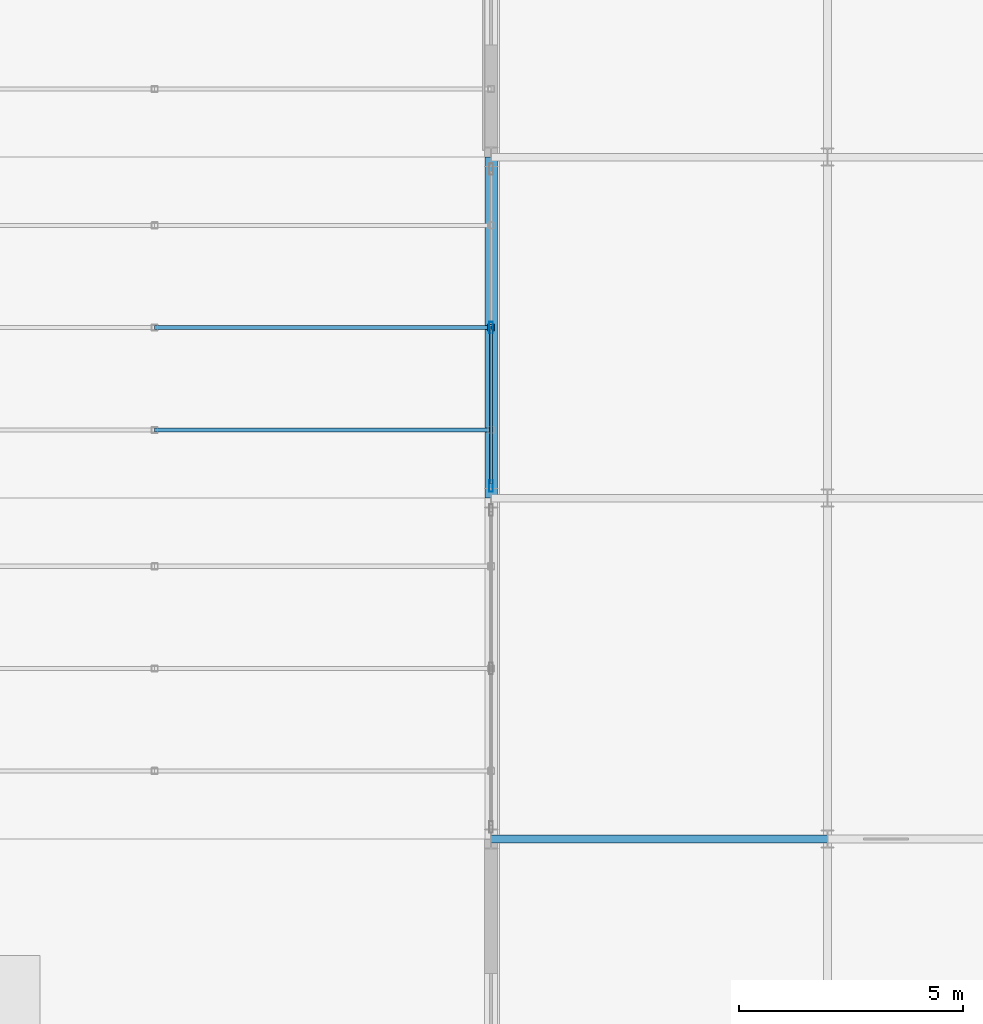
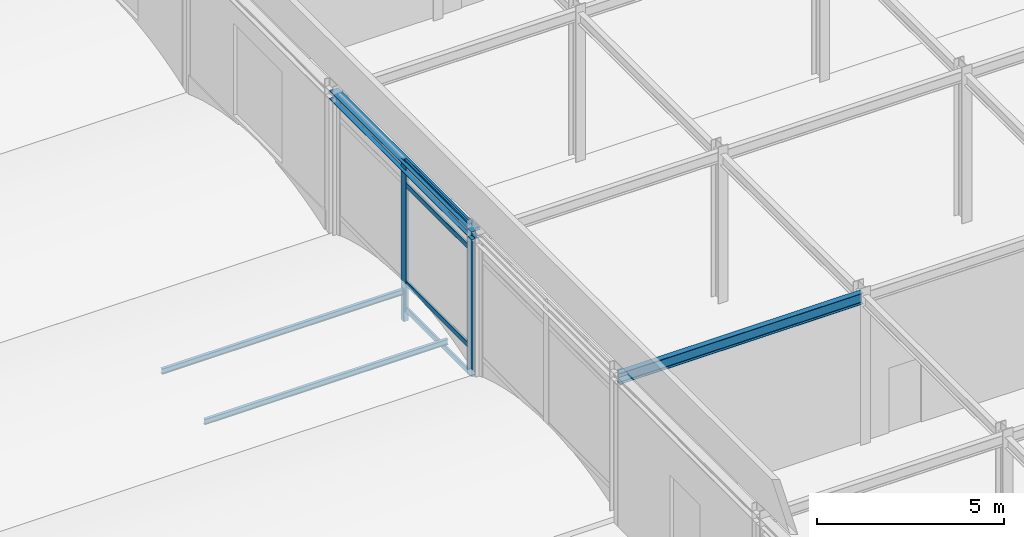
# One storey, part 20 of 113: 9 members, 2 beams, 1 element without a shape of its own.
"""IFC4 building model written with IfcOpenShell, lengths in metres."""

from ifc_helpers import new_model, si_unit, direction, frame, origin, origin_2d, place, context, subcontext, project, spatial, hollow_rectangle, i_section, extrude, material, layer, layer_set, material_profile, profile_set, type_object, element, aggregate, save


model = new_model("IFC4")

# Units and contexts
model_context = context("Model", 3, precision=1e-05, world=origin(), true_north=direction((0.0, 1.0)))
body_context = subcontext(model_context, "Body", "Model", "MODEL_VIEW")
ifc_project = project(units=[si_unit("LENGTHUNIT", "METRE"), si_unit("AREAUNIT", "SQUARE_METRE"), si_unit("VOLUMEUNIT", "CUBIC_METRE"), si_unit("PLANEANGLEUNIT", "RADIAN"), si_unit("MASSUNIT", "GRAM", prefix="KILO")], contexts=[model_context])

# Site, building, storey
site_placement = place(None, origin())
site = spatial("IfcSite", under=ifc_project, at=site_placement, CompositionType="ELEMENT")
building_placement = place(site_placement, origin())
building = spatial("IfcBuilding", under=site, at=building_placement, Name="Shalkamar Park Central Library", CompositionType="ELEMENT")
storey_placement = place(building_placement, frame((0.0, 0.0, 5.39990234375)))
storey = spatial("IfcBuildingStorey", under=building, at=storey_placement, Name="L02", CompositionType="ELEMENT", Elevation=5.39990234375)

# Curtain wall, members
ifc_material_1 = material(Name="Thermally broken aluminium and triple low-e curtain wall", Category="aluminium")
ifc_layer = layer(ifc_material_1, 0.2548828125)
ifc_layer_set = layer_set([ifc_layer], Name="UnitisedCurtainWall_36")
curtain_wall_type = type_object("IfcCurtainWallType", Name="Unitised Curtain Wall 36", PredefinedType="USERDEFINED", material=ifc_layer_set)
curtain_wall_placement = place(storey_placement, origin())
curtain_wall = element("IfcCurtainWall", 1, at=curtain_wall_placement, inside=storey, type_object=curtain_wall_type, Name="Unitised Curtain Wall CW-L02-041", ObjectType="UNITISED CURTAIN WALL", PredefinedType="USERDEFINED")
ifc_material_2 = material(Name="Aluminium 6060-T66", Category="aluminium")
ifc_material_profile_1 = material_profile(ifc_material_2, hollow_rectangle(XDim=0.080078125, YDim=0.2548828125, WallThickness=0.00439453125, InnerFilletRadius=0.00439453125, OuterFilletRadius=0.0068359375, at=origin_2d()), Name="ALU 80x255x4.5")
ifc_profile_set_1 = profile_set([ifc_material_profile_1], Name="Aluminium 6060-T66")
member_type_1 = type_object("IfcMemberType", Name="Curtain Wall Mullion ALU80x255", PredefinedType="MULLION", material=ifc_profile_set_1)
member_1_placement = place(storey_placement, frame((135.0, 285.868896484375, 0.0), z_axis=(0.0, 0.0, 1.0), x_axis=(-1.0, 0.0, 0.0)))
member_1 = element("IfcMember", 2, at=member_1_placement, type_object=member_type_1, Name="CW-36 mullion 1", PredefinedType="MULLION", context=body_context, shape_type="SweptSolid", body=[
    extrude(hollow_rectangle(XDim=0.080078125, YDim=0.2548828125, WallThickness=0.00439453125, InnerFilletRadius=0.00439453125, OuterFilletRadius=0.0068359375, at=origin_2d()), origin(), (0.0, 0.0, 1.0), 4.85009765625),
])
member_2_placement = place(storey_placement, frame((135.0, 289.39990234375, 0.0), z_axis=(0.0, 0.0, 1.0), x_axis=(-1.0, 0.0, 0.0)))
member_2 = element("IfcMember", 3, at=member_2_placement, type_object=member_type_1, Name="CW-36 mullion 2", PredefinedType="MULLION", context=body_context, shape_type="SweptSolid", body=[
    extrude(hollow_rectangle(XDim=0.080078125, YDim=0.2548828125, WallThickness=0.00439453125, InnerFilletRadius=0.00439453125, OuterFilletRadius=0.0068359375, at=origin_2d()), origin(), (0.0, 0.0, 1.0), 4.85009765625),
])
ifc_material_profile_2 = material_profile(ifc_material_2, hollow_rectangle(XDim=0.06494140625, YDim=0.169921875, WallThickness=0.00390625, InnerFilletRadius=0.00390625, OuterFilletRadius=0.006103515625, at=origin_2d()), Name="ALU 65x170x4")
ifc_profile_set_2 = profile_set([ifc_material_profile_2], Name="Aluminium 6060-T66")
member_type_2 = type_object("IfcMemberType", Name="Curtain Wall Transom ALU65x170", PredefinedType="USERDEFINED", material=ifc_profile_set_2)
member_3_placement = place(storey_placement, frame((135.0, 285.908935546875, 0.03271484375), z_axis=(0.0, 1.0, 0.0), x_axis=(-1.0, 0.0, 0.0)))
member_3 = element("IfcMember", 4, at=member_3_placement, type_object=member_type_2, Name="CW-36 transom 1.1", ObjectType="TRANSOM", PredefinedType="USERDEFINED", context=body_context, shape_type="SweptSolid", body=[
    extrude(hollow_rectangle(XDim=0.06494140625, YDim=0.169921875, WallThickness=0.00390625, InnerFilletRadius=0.00390625, OuterFilletRadius=0.006103515625, at=origin_2d()), origin(), (0.0, 0.0, 1.0), 3.451171875),
])
member_4_placement = place(storey_placement, frame((135.0, 285.908935546875, 0.900146484375), z_axis=(0.0, 1.0, 0.0), x_axis=(-1.0, 0.0, 0.0)))
member_4 = element("IfcMember", 5, at=member_4_placement, type_object=member_type_2, Name="CW-36 transom 1.2", ObjectType="TRANSOM", PredefinedType="USERDEFINED", context=body_context, shape_type="SweptSolid", body=[
    extrude(hollow_rectangle(XDim=0.06494140625, YDim=0.169921875, WallThickness=0.00390625, InnerFilletRadius=0.00390625, OuterFilletRadius=0.006103515625, at=origin_2d()), origin(), (0.0, 0.0, 1.0), 3.451171875),
])
member_5_placement = place(storey_placement, frame((135.0, 285.908935546875, 4.10009765625), z_axis=(0.0, 1.0, 0.0), x_axis=(-1.0, 0.0, 0.0)))
member_5 = element("IfcMember", 6, at=member_5_placement, type_object=member_type_2, Name="CW-36 transom 1.3", ObjectType="TRANSOM", PredefinedType="USERDEFINED", context=body_context, shape_type="SweptSolid", body=[
    extrude(hollow_rectangle(XDim=0.06494140625, YDim=0.169921875, WallThickness=0.00390625, InnerFilletRadius=0.00390625, OuterFilletRadius=0.006103515625, at=origin_2d()), origin(), (0.0, 0.0, 1.0), 3.451171875),
])
member_6_placement = place(storey_placement, frame((135.0, 285.908935546875, 4.817626953125), z_axis=(0.0, 1.0, 0.0), x_axis=(-1.0, 0.0, 0.0)))
member_6 = element("IfcMember", 7, at=member_6_placement, type_object=member_type_2, Name="CW-36 transom 1.4", ObjectType="TRANSOM", PredefinedType="USERDEFINED", context=body_context, shape_type="SweptSolid", body=[
    extrude(hollow_rectangle(XDim=0.06494140625, YDim=0.169921875, WallThickness=0.00390625, InnerFilletRadius=0.00390625, OuterFilletRadius=0.006103515625, at=origin_2d()), origin(), (0.0, 0.0, 1.0), 3.451171875),
])
aggregate(curtain_wall, [member_1, member_2, member_3, member_4, member_5, member_6])

# Member
ifc_material_3 = material(Name="Steel S355", Category="steel")
ifc_material_profile_3 = material_profile(ifc_material_3, hollow_rectangle(XDim=0.14990234375, YDim=0.14990234375, WallThickness=0.008056640625, InnerFilletRadius=0.008056640625, OuterFilletRadius=0.011962890625, at=origin_2d()), Name="SHS 150x150x8")
ifc_profile_set_3 = profile_set([ifc_material_profile_3], Name="Steel S355")
member_type_3 = type_object("IfcMemberType", Name="Diagonal Brace SHS150", PredefinedType="BRACE", material=ifc_profile_set_3)
member_7_placement = place(storey_placement, frame((135.0, 289.39990234375, -0.35986328125), z_axis=(0.0, 0.0, 1.0), x_axis=(1.0, 0.0, 0.0)))
element("IfcMember", 8, at=member_7_placement, inside=storey, type_object=member_type_3, Name="Vault Arch Post BV-L01-W5-03.2", PredefinedType="BRACE", context=body_context, shape_type="SweptSolid", body=[
    extrude(hollow_rectangle(XDim=0.14990234375, YDim=0.14990234375, WallThickness=0.008056640625, InnerFilletRadius=0.008056640625, OuterFilletRadius=0.011962890625, at=origin_2d()), origin(), (0.0, 0.0, 1.0), 1.0400390625),
])

# Beams
ifc_material_profile_4 = material_profile(ifc_material_3, i_section(OverallWidth=0.280029296875, OverallDepth=0.27001953125, WebThickness=0.008056640625, FlangeThickness=0.012939453125, FilletRadius=0.02392578125, at=origin_2d()), Name="HEA 280")
ifc_profile_set_4 = profile_set([ifc_material_profile_4], Name="Steel S355")
beam_type_1 = type_object("IfcBeamType", Name="Perimeter Spandrel Beam HEA280", PredefinedType="SPANDREL", material=ifc_profile_set_4)
beam_1_placement = place(storey_placement, frame((135.0, 285.60009765625, 4.715087890625), z_axis=(0.0, 1.0, 0.0), x_axis=(-1.0, 0.0, 0.0)))
element("IfcBeam", 9, at=beam_1_placement, inside=storey, type_object=beam_type_1, Name="Beam 03:G-H (L02)", PredefinedType="SPANDREL", context=body_context, shape_type="SweptSolid", body=[
    extrude(i_section(OverallWidth=0.280029296875, OverallDepth=0.27001953125, WebThickness=0.008056640625, FlangeThickness=0.012939453125, FilletRadius=0.02392578125, at=origin_2d()), origin(), (0.0, 0.0, 1.0), 7.599853515625),
])
ifc_material_profile_5 = material_profile(ifc_material_3, i_section(OverallWidth=0.169921875, OverallDepth=0.360107421875, WebThickness=0.008056640625, FlangeThickness=0.0126953125, FilletRadius=0.01806640625, at=origin_2d()), Name="IPE 360")
ifc_profile_set_5 = profile_set([ifc_material_profile_5], Name="Steel S355")
beam_type_2 = type_object("IfcBeamType", Name="Primary Girder IPE360", PredefinedType="BEAM", material=ifc_profile_set_5)
beam_2_placement = place(storey_placement, frame((135.0, 278.0, 4.670166015625), z_axis=(1.0, 0.0, 0.0), x_axis=(0.0, 1.0, 0.0)))
element("IfcBeam", 10, at=beam_2_placement, inside=storey, type_object=beam_type_2, Name="Beam F:03-04 (L02)", PredefinedType="BEAM", context=body_context, shape_type="SweptSolid", body=[
    extrude(i_section(OverallWidth=0.169921875, OverallDepth=0.360107421875, WebThickness=0.008056640625, FlangeThickness=0.0126953125, FilletRadius=0.01806640625, at=origin_2d()), origin(), (0.0, 0.0, 1.0), 7.5),
])

# Members
ifc_material_profile_6 = material_profile(ifc_material_3, i_section(OverallWidth=0.091064453125, OverallDepth=0.179931640625, WebThickness=0.00537109375, FlangeThickness=0.008056640625, FilletRadius=0.009033203125, at=origin_2d()), Name="IPE 180")
ifc_profile_set_6 = profile_set([ifc_material_profile_6], Name="Steel S355")
member_type_4 = type_object("IfcMemberType", Name="Roof Purlin IPE180", PredefinedType="PURLIN", material=ifc_profile_set_6)
for number, where, z_axis, x_axis, name in (
    (11, (127.5, 287.1201171875, 0.330810546875), (1.0, 0.0, 0.0), (0.0, 1.0, 0.0), "Barrel Roof Purlin BV-L01-W5-1.02"),
    (12, (127.5, 289.39990234375, 0.590087890625), (1.0, 0.0, 0.0), (0.0, 1.0, 0.0), "Barrel Roof Purlin BV-L01-W5-2.02"),
):
    element("IfcMember", number, at=place(storey_placement, frame(where, z_axis=z_axis, x_axis=x_axis)), inside=storey, type_object=member_type_4, Name=name, PredefinedType="PURLIN", context=body_context, shape_type="SweptSolid", body=[
        extrude(i_section(OverallWidth=0.091064453125, OverallDepth=0.179931640625, WebThickness=0.00537109375, FlangeThickness=0.008056640625, FilletRadius=0.009033203125, at=origin_2d()), origin(), (0.0, 0.0, 1.0), 7.5),
    ])

save(model, "model.ifc")
